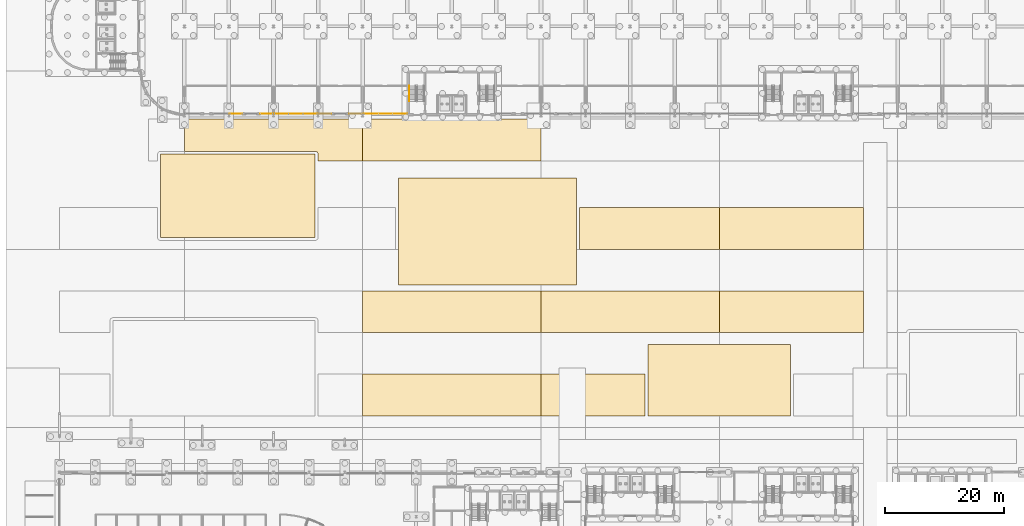
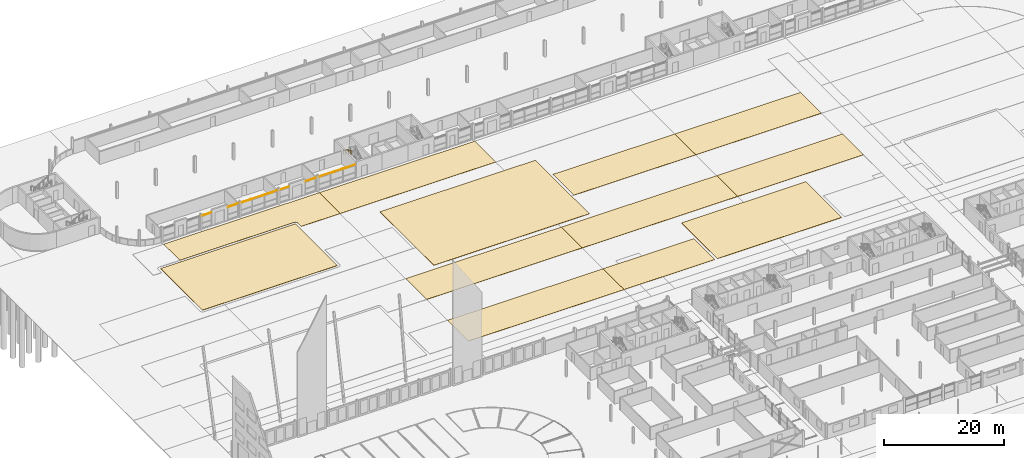
# One storey, part 113 of 130: 22 coverings, 1 railing.
"""IFC4 building model written with IfcOpenShell, lengths in metres."""

import ifcopenshell
import ifcopenshell.guid

model = None  # the IFC model being written
_history = None  # IfcOwnerHistory: only IFC2X3 demands one
_inside = {}  # id of a spatial element -> (the spatial element, [elements in it])
_under = {}  # id of a project, library or spatial element -> (it, [spatial elements below it])
_declared = {}  # id of a project -> (the project, [libraries it declares])
_typed = {}  # id of a type object -> (the type object, [elements of that type])
_made_of = {}  # id of a material, layer set ... -> (it, [elements and type objects made of it])


def new_model(schema):
    """Start an empty IFC model of exactly this schema.

    Asked for "IFC4X3", IfcOpenShell would pick the latest addendum, in which some entities
    have other attributes; the version numbers below select the first issue.
    IFC2X3 requires an IfcOwnerHistory on every rooted entity: one is made here for all.
    """
    global model, _history
    if schema == "IFC4X3":
        model = ifcopenshell.file(schema_version=(4, 3, 0, 0))
    else:
        model = ifcopenshell.file(schema=schema)
    _inside.clear()
    _under.clear()
    _declared.clear()
    _typed.clear()
    _made_of.clear()
    _history = None
    if model.schema == "IFC2X3":
        org = make("IfcOrganization", Name="unknown")
        user = make(
            "IfcPersonAndOrganization",
            ThePerson=make("IfcPerson", FamilyName="unknown"),
            TheOrganization=org,
        )
        app = make(
            "IfcApplication",
            ApplicationDeveloper=org,
            Version="unknown",
            ApplicationFullName="unknown",
            ApplicationIdentifier="unknown",
        )
        _history = make(
            "IfcOwnerHistory",
            OwningUser=user,
            OwningApplication=app,
            ChangeAction="ADDED",
            CreationDate=0,
        )
    return model


def make(cls, **values):
    """One entity of the class cls with the attributes given. An attribute that is None is left unset."""
    return model.create_entity(
        cls, **{name: value for name, value in values.items() if value is not None}
    )


def rooted(cls, **values):
    """An entity with a GlobalId (a new one), such as an element, a storey or a relation."""
    return make(cls, GlobalId=ifcopenshell.guid.new(), OwnerHistory=_history, **values)


def si_unit(unit_type, name, prefix=None):
    """IfcSIUnit, for example si_unit("LENGTHUNIT", "METRE", prefix="MILLI")."""
    return make("IfcSIUnit", UnitType=unit_type, Prefix=prefix, Name=name)


def assignment(units):
    """IfcUnitAssignment: the units of a project."""
    return None if units is None else make("IfcUnitAssignment", Units=units)


def point(xyz):
    """IfcCartesianPoint."""
    return None if xyz is None else make("IfcCartesianPoint", Coordinates=xyz)


def direction(xyz):
    """IfcDirection."""
    return None if xyz is None else make("IfcDirection", DirectionRatios=xyz)


def frame(location, z_axis=None, x_axis=None):
    """IfcAxis2Placement3D, a coordinate frame: its origin and axes. An axis left out is left unset."""
    return make(
        "IfcAxis2Placement3D",
        Location=point(location),
        Axis=direction(z_axis),
        RefDirection=direction(x_axis),
    )


def frame_2d(location, x_axis=None):
    """IfcAxis2Placement2D, a coordinate frame in the plane: its origin and x axis."""
    return make(
        "IfcAxis2Placement2D", Location=point(location), RefDirection=direction(x_axis)
    )


def origin():
    """The frame at (0, 0, 0) with its axes left unset."""
    return frame((0.0, 0.0, 0.0))


def origin_2d():
    """The frame at (0, 0) in the plane with its x axis left unset."""
    return frame_2d((0.0, 0.0))


def place(relative_to, where):
    """IfcLocalPlacement: puts the frame where relative to a parent placement (None: the world)."""
    return make(
        "IfcLocalPlacement", PlacementRelTo=relative_to, RelativePlacement=where
    )


def context(
    kind, dimensions, precision=None, world=None, true_north=None, identifier=None
):
    """IfcGeometricRepresentationContext, for example the 3D "Model" context."""
    return make(
        "IfcGeometricRepresentationContext",
        ContextIdentifier=identifier,
        ContextType=kind,
        CoordinateSpaceDimension=dimensions,
        Precision=precision,
        WorldCoordinateSystem=world,
        TrueNorth=true_north,
    )


def subcontext(parent, identifier, kind, view, scale=None):
    """IfcGeometricRepresentationSubContext, for example "Body" below "Model"."""
    return make(
        "IfcGeometricRepresentationSubContext",
        ContextIdentifier=identifier,
        ContextType=kind,
        ParentContext=parent,
        TargetScale=scale,
        TargetView=view,
    )


def project(units=None, contexts=None):
    """IfcProject with its units and contexts."""
    return rooted(
        "IfcProject",
        Name="project",
        RepresentationContexts=contexts,
        UnitsInContext=assignment(units),
    )


def spatial(cls, under=None, at=None, **own):
    """A site, building, storey or space (cls), placed at a placement, below another one or the project."""
    s = rooted(cls, ObjectPlacement=at, **own)
    if under is not None:
        _under.setdefault(under.id(), (under, []))[1].append(s)
    return s


def polyline(points):
    """IfcPolyline through the points."""
    return make("IfcPolyline", Points=[point(p) for p in points])


def profile(cls, at=None, kind="AREA", **sizes):
    """A parametric profile (cls). Its sizes go by their IFC names, for example OverallWidth=200.0."""
    return make(cls, ProfileType=kind, Position=at, **sizes)


def rectangle(**sizes):
    """IfcRectangleProfileDef."""
    return profile("IfcRectangleProfileDef", **sizes)


def circle(**sizes):
    """IfcCircleProfileDef."""
    return profile("IfcCircleProfileDef", **sizes)


def outline(outer, holes=None, kind="AREA"):
    """IfcArbitraryClosedProfileDef: a profile drawn as a closed curve; with holes, ...WithVoids."""
    if holes is None:
        return make("IfcArbitraryClosedProfileDef", ProfileType=kind, OuterCurve=outer)
    return make(
        "IfcArbitraryProfileDefWithVoids",
        ProfileType=kind,
        OuterCurve=outer,
        InnerCurves=holes,
    )


def extrude(swept, where, along, depth):
    """IfcExtrudedAreaSolid: the profile swept, set in the frame where, extruded along a direction by depth."""
    return make(
        "IfcExtrudedAreaSolid",
        SweptArea=swept,
        Position=where,
        ExtrudedDirection=direction(along),
        Depth=depth,
    )


def shape(context_of_items, identifier, shape_type, items):
    """IfcShapeRepresentation: the items that make up one representation, for example the "Body"."""
    return make(
        "IfcShapeRepresentation",
        ContextOfItems=context_of_items,
        RepresentationIdentifier=identifier,
        RepresentationType=shape_type,
        Items=items,
    )


def material(Name=None, Category=None):
    """IfcMaterial."""
    return make("IfcMaterial", Name=Name, Category=Category)


def layer(
    of_material, thickness, ventilated=None, Name=None, Category=None, Priority=None
):
    """IfcMaterialLayer: one layer of a wall or slab, of a material (None: an air gap)."""
    return make(
        "IfcMaterialLayer",
        Material=of_material,
        LayerThickness=thickness,
        IsVentilated=ventilated,
        Name=Name,
        Category=Category,
        Priority=Priority,
    )


def layer_set(layers, Name=None):
    """IfcMaterialLayerSet."""
    return make("IfcMaterialLayerSet", MaterialLayers=layers, LayerSetName=Name)


def made_of(thing, what):
    """Note that an element or type object is made of a material, layer set ...; save() writes the relation."""
    if what is not None:
        _made_of.setdefault(what.id(), (what, []))[1].append(thing)
    return thing


def type_object(cls, material=None, **own):
    """A type object (cls), such as IfcWallType, which elements share."""
    return made_of(rooted(cls, **own), material)


def element(
    cls,
    number,
    at=None,
    inside=None,
    cuts=None,
    type_object=None,
    material=None,
    context=None,
    identifier="Body",
    shape_type=None,
    held_by="IfcProductDefinitionShape",
    body=None,
    shapes=None,
    **own,
):
    """One element of the class cls, such as IfcWall. Its Tag is "e" and its number.

    at: its placement. inside: the storey or other place that contains it. cuts: it is an
    opening in that element (IfcRelVoidsElement). A single representation is given by context,
    identifier, shape_type and body (its items); several are given by shapes. held_by: the class
    of the entity that holds the representations. save() writes the other relations.
    """
    e = rooted(cls, Tag="e%d" % number, ObjectPlacement=at, **own)
    if body is not None:
        shapes = [shape(context, identifier, shape_type, body)]
    if shapes is not None:
        e.Representation = make(held_by, Representations=shapes)
    if inside is not None:
        _inside.setdefault(inside.id(), (inside, []))[1].append(e)
    if cuts is not None:
        rooted(
            "IfcRelVoidsElement", RelatingBuildingElement=cuts, RelatedOpeningElement=e
        )
    if type_object is not None:
        _typed.setdefault(type_object.id(), (type_object, []))[1].append(e)
    return made_of(e, material)


def aggregate(whole, parts):
    """IfcRelAggregates: a whole, such as a stair, and the parts it consists of."""
    return rooted("IfcRelAggregates", RelatingObject=whole, RelatedObjects=parts)


def save(model, path):
    """Write the relations noted so far, then the file.

    IfcRelAggregates (storeys below a building ...), IfcRelContainedInSpatialStructure (elements
    in a storey), IfcRelDefinesByType, IfcRelAssociatesMaterial and IfcRelDeclares: one each for
    every whole, place, type object, material and project.
    """
    for whole, parts in _under.values():
        aggregate(whole, parts)
    for where, things in _inside.values():
        rooted(
            "IfcRelContainedInSpatialStructure",
            RelatedElements=things,
            RelatingStructure=where,
        )
    for kind, things in _typed.values():
        rooted("IfcRelDefinesByType", RelatedObjects=things, RelatingType=kind)
    for what, things in _made_of.values():
        rooted("IfcRelAssociatesMaterial", RelatedObjects=things, RelatingMaterial=what)
    for by, libraries in _declared.values():
        rooted("IfcRelDeclares", RelatingContext=by, RelatedDefinitions=libraries)
    model.write(path)


model = new_model("IFC4")

# Units and contexts
model_context = context("Model", 3, precision=1e-05, world=origin(), true_north=direction((0.0, 1.0)))
body_context = subcontext(model_context, "Body", "Model", "MODEL_VIEW")
ifc_project = project(units=[si_unit("LENGTHUNIT", "METRE"), si_unit("AREAUNIT", "SQUARE_METRE"), si_unit("VOLUMEUNIT", "CUBIC_METRE"), si_unit("PLANEANGLEUNIT", "RADIAN"), si_unit("MASSUNIT", "GRAM", prefix="KILO")], contexts=[model_context])

# Site, building, storey
site_placement = place(None, origin())
site = spatial("IfcSite", under=ifc_project, at=site_placement, CompositionType="ELEMENT")
building_placement = place(site_placement, origin())
building = spatial("IfcBuilding", under=site, at=building_placement, Name="Parallax Yard Mobility Hub", CompositionType="ELEMENT")
storey_placement = place(building_placement, origin())
storey = spatial("IfcBuildingStorey", under=building, at=storey_placement, Name="L00", CompositionType="ELEMENT", Elevation=0.0)

# Coverings
ifc_material_1 = material(Name="Insulated aluminium spandrel panel", Category="aluminium")
ifc_layer_1 = layer(ifc_material_1, 0.028076171875)
ifc_layer_set_1 = layer_set([ifc_layer_1], Name="Curtain wall spandrel closer, insulated aluminium 28")
covering_type_1 = type_object("IfcCoveringType", Name="Curtain wall spandrel closer, insulated aluminium 28", PredefinedType="CLADDING", material=ifc_layer_set_1)
for number, where, z_axis, x_axis, name in (
    (1, (38.701904296875, 112.800048828125, 2.5), (0.0, 0.0, 1.0), (1.0, 0.0, 0.0), "Curtain wall CW03 level L00 bay 2 spandrel closer 1"),
    (2, (43.798095703125, 112.800048828125, 2.5), (0.0, 0.0, 1.0), (1.0, 0.0, 0.0), "Curtain wall CW04 level L00 bay 2 spandrel closer 1"),
):
    element("IfcCovering", number, at=place(storey_placement, frame(where, z_axis=z_axis, x_axis=x_axis)), inside=storey, type_object=covering_type_1, Name=name, ObjectType="SCREEN", PredefinedType="CLADDING", context=body_context, shape_type="SweptSolid", body=[
        extrude(rectangle(XDim=2.096435546875, YDim=0.028076171875, at=origin_2d()), origin(), (0.0, 0.0, 1.0), 0.126953125),
    ])
covering_1_placement = place(storey_placement, frame((46.2646484375, 112.800048828125, 2.5), z_axis=(0.0, 0.0, 1.0), x_axis=(1.0, 0.0, 0.0)))
element("IfcCovering", 3, at=covering_1_placement, inside=storey, type_object=covering_type_1, Name="Curtain wall CW05 level L00 bay 3 spandrel closer 1", ObjectType="SCREEN", PredefinedType="CLADDING", context=body_context, shape_type="SweptSolid", body=[
    extrude(rectangle(XDim=2.222412109375, YDim=0.028076171875, at=origin_2d()), origin(), (0.0, 0.0, 1.0), 0.126953125),
])
covering_2_placement = place(storey_placement, frame((48.75, 112.800048828125, 2.5), z_axis=(0.0, 0.0, 1.0), x_axis=(1.0, 0.0, 0.0)))
element("IfcCovering", 4, at=covering_2_placement, inside=storey, type_object=covering_type_1, Name="Curtain wall CW05 level L00 bay 3 spandrel closer 2", ObjectType="SCREEN", PredefinedType="CLADDING", context=body_context, shape_type="SweptSolid", body=[
    extrude(rectangle(XDim=2.251953125, YDim=0.028076171875, at=origin_2d()), origin(), (0.0, 0.0, 1.0), 0.126953125),
])
covering_3_placement = place(storey_placement, frame((51.2353515625, 112.800048828125, 2.5), z_axis=(0.0, 0.0, 1.0), x_axis=(1.0, 0.0, 0.0)))
element("IfcCovering", 5, at=covering_3_placement, inside=storey, type_object=covering_type_1, Name="Curtain wall CW05 level L00 bay 3 spandrel closer 3", ObjectType="SCREEN", PredefinedType="CLADDING", context=body_context, shape_type="SweptSolid", body=[
    extrude(rectangle(XDim=2.222412109375, YDim=0.028076171875, at=origin_2d()), origin(), (0.0, 0.0, 1.0), 0.126953125),
])
for number, where, z_axis, x_axis, name in (
    (6, (53.69091796875, 112.800048828125, 2.5), (0.0, 0.0, 1.0), (1.0, 0.0, 0.0), "Curtain wall CW06 level L00 bay 4 spandrel closer 1"),
    (7, (58.765625, 112.800048828125, 2.5), (0.0, 0.0, 1.0), (1.0, 0.0, 0.0), "Curtain wall CW07 level L00 bay 4 spandrel closer 1"),
):
    element("IfcCovering", number, at=place(storey_placement, frame(where, z_axis=z_axis, x_axis=x_axis)), inside=storey, type_object=covering_type_1, Name=name, ObjectType="SCREEN", PredefinedType="CLADDING", context=body_context, shape_type="SweptSolid", body=[
        extrude(rectangle(XDim=2.07470703125, YDim=0.028076171875, at=origin_2d()), origin(), (0.0, 0.0, 1.0), 0.126953125),
    ])
covering_4_placement = place(storey_placement, frame((61.28662109375, 112.800048828125, 2.5), z_axis=(0.0, 0.0, 1.0), x_axis=(1.0, 0.0, 0.0)))
element("IfcCovering", 8, at=covering_4_placement, inside=storey, type_object=covering_type_1, Name="Curtain wall CW08 level L00 bay 5 spandrel closer 1", ObjectType="SCREEN", PredefinedType="CLADDING", context=body_context, shape_type="SweptSolid", body=[
    extrude(rectangle(XDim=2.178955078125, YDim=0.028076171875, at=origin_2d()), origin(), (0.0, 0.0, 1.0), 0.126953125),
])
covering_5_placement = place(storey_placement, frame((63.75, 112.800048828125, 2.5), z_axis=(0.0, 0.0, 1.0), x_axis=(1.0, 0.0, 0.0)))
element("IfcCovering", 9, at=covering_5_placement, inside=storey, type_object=covering_type_1, Name="Curtain wall CW08 level L00 bay 5 spandrel closer 2", ObjectType="SCREEN", PredefinedType="CLADDING", context=body_context, shape_type="SweptSolid", body=[
    extrude(rectangle(XDim=2.251953125, YDim=0.028076171875, at=origin_2d()), origin(), (0.0, 0.0, 1.0), 0.126953125),
])
covering_6_placement = place(storey_placement, frame((66.3095703125, 112.800048828125, 2.5), z_axis=(0.0, 0.0, 1.0), x_axis=(1.0, 0.0, 0.0)))
element("IfcCovering", 10, at=covering_6_placement, inside=storey, type_object=covering_type_1, Name="Curtain wall CW08 level L00 bay 5 spandrel closer 3", ObjectType="SCREEN", PredefinedType="CLADDING", context=body_context, shape_type="SweptSolid", body=[
    extrude(rectangle(XDim=2.37109375, YDim=0.028076171875, at=origin_2d()), origin(), (0.0, 0.0, 1.0), 0.126953125),
])
ifc_material_2 = material(Name="Concrete fc' 30 MPa", Category="concrete")
ifc_layer_2 = layer(ifc_material_2, 0.0400390625)
ifc_layer_set_2 = layer_set([ifc_layer_2], Name="Footway paving, Concrete fc' 30 MPa pavers 40")
covering_type_2 = type_object("IfcCoveringType", Name="Footway paving, Concrete fc' 30 MPa pavers 40", PredefinedType="USERDEFINED", material=ifc_layer_set_2)
covering_7_placement = place(storey_placement, origin())
element("IfcCovering", 11, at=covering_7_placement, inside=storey, type_object=covering_type_2, Name="Yard footway north surfacing 2", ObjectType="PAVING", PredefinedType="USERDEFINED", context=body_context, shape_type="SweptSolid", body=[
    extrude(outline(polyline([(52.5, 104.89990234375), (52.5, 106.0), (52.49755859375, 106.049072265625), (52.490478515625, 106.097412109375), (52.478515625, 106.14501953125), (52.4619140625, 106.19140625), (52.44091796875, 106.235595703125), (52.415771484375, 106.27783203125), (52.386474609375, 106.317138671875), (52.353515625, 106.353515625), (52.317138671875, 106.386474609375), (52.27783203125, 106.415771484375), (52.235595703125, 106.44091796875), (52.19140625, 106.4619140625), (52.14501953125, 106.478515625), (52.097412109375, 106.490478515625), (52.049072265625, 106.49755859375), (52.0, 106.5), (30.0, 106.5), (30.0, 111.89990234375), (30.10009765625, 111.89990234375), (44.89990234375, 111.89990234375), (45.10009765625, 111.89990234375), (52.39990234375, 111.89990234375), (52.60009765625, 111.89990234375), (59.89990234375, 111.89990234375), (60.0, 111.89990234375), (60.0, 104.89990234375), (52.5, 104.89990234375)])), origin(), (0.0, 0.0, 1.0), 0.0400390625),
])
covering_8_placement = place(storey_placement, origin())
element("IfcCovering", 12, at=covering_8_placement, inside=storey, type_object=covering_type_2, Name="Yard footway north surfacing 3", ObjectType="PAVING", PredefinedType="USERDEFINED", context=body_context, shape_type="SweptSolid", body=[
    extrude(outline(polyline([(60.0, 104.89990234375), (60.0, 111.89990234375), (60.10009765625, 111.89990234375), (67.5, 111.89990234375), (82.5, 111.89990234375), (89.89990234375, 111.89990234375), (90.0, 111.89990234375), (90.0, 104.89990234375), (60.0, 104.89990234375)])), origin(), (0.0, 0.0, 1.0), 0.0400390625),
])
covering_9_placement = place(storey_placement, origin())
element("IfcCovering", 13, at=covering_9_placement, inside=storey, type_object=covering_type_2, Name="Yard band 1 surfacing 3", ObjectType="PAVING", PredefinedType="USERDEFINED", context=body_context, shape_type="SweptSolid", body=[
    extrude(outline(polyline([(60.0, 62.0), (60.0, 69.0), (90.0, 69.0), (90.0, 62.0), (60.0, 62.0)])), origin(), (0.0, 0.0, 1.0), 0.0400390625),
])
covering_10_placement = place(storey_placement, origin())
element("IfcCovering", 14, at=covering_10_placement, inside=storey, type_object=covering_type_2, Name="Yard band 1 surfacing 4", ObjectType="PAVING", PredefinedType="USERDEFINED", context=body_context, shape_type="SweptSolid", body=[
    extrude(outline(polyline([(90.0, 62.0), (90.0, 69.0), (107.5, 69.0), (107.5, 62.0), (90.0, 62.0)])), origin(), (0.0, 0.0, 1.0), 0.0400390625),
])
covering_11_placement = place(storey_placement, origin())
element("IfcCovering", 15, at=covering_11_placement, inside=storey, type_object=covering_type_2, Name="Yard band 2 surfacing 3", ObjectType="PAVING", PredefinedType="USERDEFINED", context=body_context, shape_type="SweptSolid", body=[
    extrude(outline(polyline([(90.0, 83.0), (90.0, 76.0), (60.0, 76.0), (60.0, 83.0), (90.0, 83.0)])), origin(), (0.0, 0.0, 1.0), 0.0400390625),
])
covering_12_placement = place(storey_placement, origin())
element("IfcCovering", 16, at=covering_12_placement, inside=storey, type_object=covering_type_2, Name="Yard band 2 surfacing 4", ObjectType="PAVING", PredefinedType="USERDEFINED", context=body_context, shape_type="SweptSolid", body=[
    extrude(outline(polyline([(120.0, 83.0), (120.0, 76.0), (90.0, 76.0), (90.0, 83.0), (120.0, 83.0)])), origin(), (0.0, 0.0, 1.0), 0.0400390625),
])
covering_13_placement = place(storey_placement, origin())
element("IfcCovering", 17, at=covering_13_placement, inside=storey, type_object=covering_type_2, Name="Yard band 2 surfacing 5", ObjectType="PAVING", PredefinedType="USERDEFINED", context=body_context, shape_type="SweptSolid", body=[
    extrude(outline(polyline([(144.25, 83.0), (144.25, 76.0), (120.0, 76.0), (120.0, 83.0), (144.25, 83.0)])), origin(), (0.0, 0.0, 1.0), 0.0400390625),
])
covering_14_placement = place(storey_placement, origin())
element("IfcCovering", 18, at=covering_14_placement, inside=storey, type_object=covering_type_2, Name="Yard band 3 surfacing 4", ObjectType="PAVING", PredefinedType="USERDEFINED", context=body_context, shape_type="SweptSolid", body=[
    extrude(outline(polyline([(96.5, 97.0), (120.0, 97.0), (120.0, 90.0), (96.5, 90.0), (96.5, 97.0)])), origin(), (0.0, 0.0, 1.0), 0.0400390625),
])
covering_15_placement = place(storey_placement, origin())
element("IfcCovering", 19, at=covering_15_placement, inside=storey, type_object=covering_type_2, Name="Yard band 3 surfacing 5", ObjectType="PAVING", PredefinedType="USERDEFINED", context=body_context, shape_type="SweptSolid", body=[
    extrude(outline(polyline([(144.25, 97.0), (144.25, 90.0), (120.0, 90.0), (120.0, 97.0), (144.25, 97.0)])), origin(), (0.0, 0.0, 1.0), 0.0400390625),
])
ifc_material_3 = material(Name="Planting soil and mulch")
ifc_layer_3 = layer(ifc_material_3, 0.06005859375)
ifc_layer_set_3 = layer_set([ifc_layer_3], Name="Planting bed surfacing, Planting soil and mulch 60")
covering_type_3 = type_object("IfcCoveringType", Name="Planting bed surfacing, Planting soil and mulch 60", PredefinedType="USERDEFINED", material=ifc_layer_set_3)
covering_16_placement = place(storey_placement, origin())
element("IfcCovering", 20, at=covering_16_placement, inside=storey, type_object=covering_type_3, Name="Planting bed 02 surfacing", ObjectType="PAVING", PredefinedType="USERDEFINED", context=body_context, shape_type="SweptSolid", body=[
    extrude(outline(polyline([(66.0, 84.0), (96.0, 84.0), (96.0, 102.0), (66.0, 102.0), (66.0, 84.0)])), origin(), (0.0, 0.0, 1.0), 0.06005859375),
])
covering_17_placement = place(storey_placement, origin())
element("IfcCovering", 21, at=covering_17_placement, inside=storey, type_object=covering_type_3, Name="Planting bed 03 surfacing", ObjectType="PAVING", PredefinedType="USERDEFINED", context=body_context, shape_type="SweptSolid", body=[
    extrude(outline(polyline([(108.0, 62.0), (132.0, 62.0), (132.0, 74.0), (108.0, 74.0), (108.0, 62.0)])), origin(), (0.0, 0.0, 1.0), 0.06005859375),
])
covering_18_placement = place(storey_placement, origin())
element("IfcCovering", 22, at=covering_18_placement, inside=storey, type_object=covering_type_3, Name="Planting bed 05 surfacing", ObjectType="PAVING", PredefinedType="USERDEFINED", context=body_context, shape_type="SweptSolid", body=[
    extrude(outline(polyline([(26.0, 92.0), (52.0, 92.0), (52.0, 106.0), (26.0, 106.0), (26.0, 92.0)])), origin(), (0.0, 0.0, 1.0), 0.06005859375),
])

# Railing
ifc_material_4 = material(Name="Steel ASTM A36", Category="steel")
railing_type = type_object("IfcRailingType", Name="Stair handrail", PredefinedType="HANDRAIL", material=ifc_material_4)
railing_placement = place(storey_placement, frame((67.85009765625, 117.465087890625, 1.81494140625)))
element("IfcRailing", 23, at=railing_placement, inside=storey, type_object=railing_type, Name="L00 ST4 stair handrail 2", PredefinedType="HANDRAIL", context=body_context, shape_type="SweptSolid", body=[
    extrude(circle(Radius=0.02392578125, at=origin_2d()), frame((0.0, 0.0, 0.8310546875), z_axis=(0.0, -0.865426285481, 0.501036270542), x_axis=(1.0, 0.0, 0.0)), (0.0, 0.0, 1.0), 2.964111328125),
    extrude(circle(Radius=0.02099609375, at=origin_2d()), origin(), (0.0, 0.0, 1.0), 0.806884765625),
    extrude(circle(Radius=0.02099609375, at=origin_2d()), frame((0.0, -0.85498046875, 0.4951171875)), (0.0, 0.0, 1.0), 0.806884765625),
    extrude(circle(Radius=0.02099609375, at=origin_2d()), frame((0.0, -1.710205078125, 0.989990234375)), (0.0, 0.0, 1.0), 0.806884765625),
    extrude(circle(Radius=0.02099609375, at=origin_2d()), frame((0.0, -2.565185546875, 1.485107421875)), (0.0, 0.0, 1.0), 0.806884765625),
])

save(model, "model.ifc")
